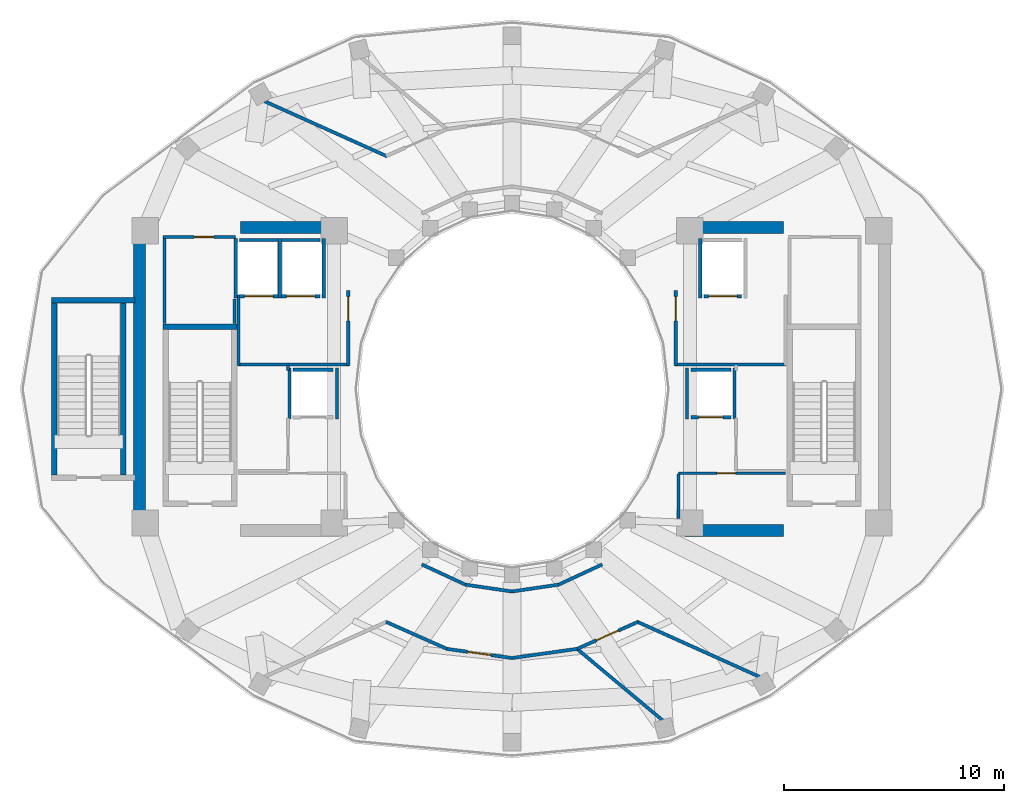
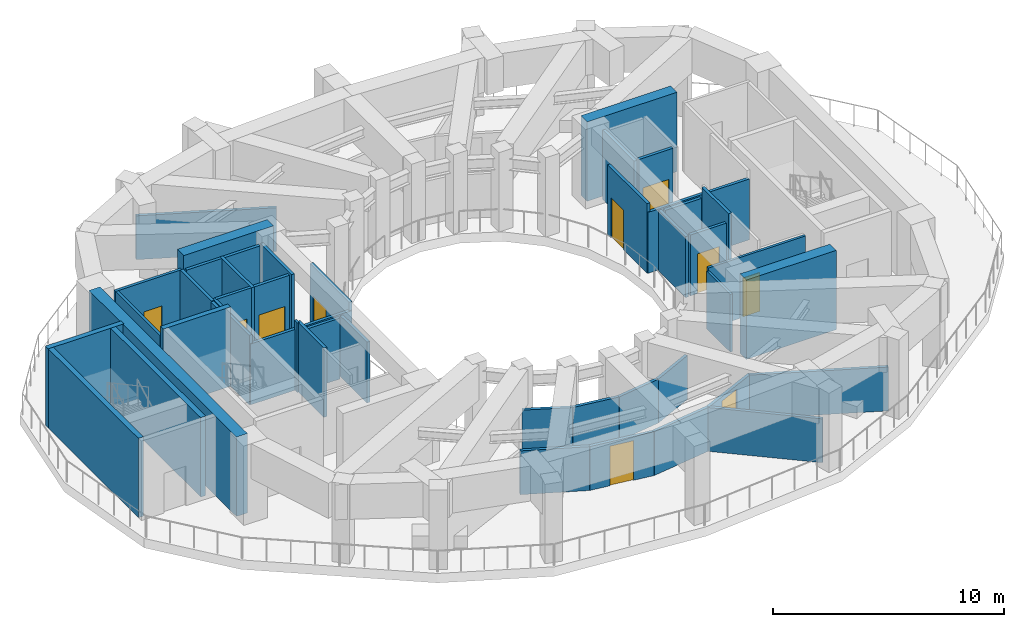
# One storey, part 3 of 9: 46 walls, 10 doors, 10 openings.
"""IFC4 building model written with IfcOpenShell, lengths in metres."""

from ifc_helpers import new_model, si_unit, direction, frame, frame_2d, origin, place, context, subcontext, project, spatial, rectangle, extrude, material, layer, layer_set, type_object, element, fill, save


model = new_model("IFC4")

# Units and contexts
model_context = context("Model", 3, precision=1e-05, world=origin(), true_north=direction((0.0, 1.0)))
body_context = subcontext(model_context, "Body", "Model", "MODEL_VIEW")
ifc_project = project(units=[si_unit("LENGTHUNIT", "METRE"), si_unit("AREAUNIT", "SQUARE_METRE"), si_unit("VOLUMEUNIT", "CUBIC_METRE"), si_unit("PLANEANGLEUNIT", "RADIAN"), si_unit("MASSUNIT", "GRAM", prefix="KILO")], contexts=[model_context])

# Site, building, storey
site_placement = place(None, origin())
site = spatial("IfcSite", under=ifc_project, at=site_placement, CompositionType="ELEMENT")
building_placement = place(site_placement, origin())
building = spatial("IfcBuilding", under=site, at=building_placement, Name="Solvane Sanctuary Tower", CompositionType="ELEMENT")
storey_placement = place(building_placement, frame((0.0, 0.0, 197.39990234375)))
storey = spatial("IfcBuildingStorey", under=building, at=storey_placement, Name="L60", CompositionType="ELEMENT", Elevation=197.39990234375)

# Walls
ifc_material_1 = material(Name="Concrete C50/60", Category="concrete")
ifc_layer_1 = layer(ifc_material_1, 0.550048828125, Name="Concrete C50/60")
ifc_layer_set_1 = layer_set([ifc_layer_1], Name="Concrete C50/60")
wall_type_1 = type_object("IfcWallType", Name="Wall W-CORE-550", PredefinedType="SHEAR", material=ifc_layer_set_1)
wall_1_placement = place(storey_placement, frame((15.050048828125, 17.050048828125, 0.0), z_axis=(0.0, 0.0, 1.0), x_axis=(0.0, 1.0, 0.0)))
element("IfcWall", 1, at=wall_1_placement, inside=storey, type_object=wall_type_1, Name="L60 Core Shear Wall WC-W", PredefinedType="SHEAR", context=body_context, shape_type="SweptSolid", body=[
    extrude(rectangle(XDim=12.800048828125, YDim=0.550048828125, at=frame_2d((6.39990234375, 0.0))), origin(), (0.0, 0.0, 1.0), 4.2001953125),
])
for number, where, z_axis, x_axis, name in (
    (2, (19.64990234375, 30.35009765625, 0.0), (0.0, 0.0, 1.0), (1.0, 0.0, 0.0), "L60 Core Shear Wall WC-N"),
    (3, (39.85009765625, 16.550048828125, 0.0), (0.0, 0.0, 1.0), (1.0, 0.0, 0.0), "L60 Core Shear Wall EC-S"),
    (4, (39.85009765625, 30.35009765625, 0.0), (0.0, 0.0, 1.0), (1.0, 0.0, 0.0), "L60 Core Shear Wall EC-N"),
):
    element("IfcWall", number, at=place(storey_placement, frame(where, z_axis=z_axis, x_axis=x_axis)), inside=storey, type_object=wall_type_1, Name=name, PredefinedType="SHEAR", context=body_context, shape_type="SweptSolid", body=[
        extrude(rectangle(XDim=4.5, YDim=0.550048828125, at=frame_2d((2.25, 0.0))), origin(), (0.0, 0.0, 1.0), 4.2001953125),
    ])
ifc_material_2 = material(Name="Acoustic Gypsum Partition Board")
ifc_layer_2 = layer(ifc_material_2, 0.14990234375, Name="Acoustic Gypsum Partition Board")
ifc_layer_set_2 = layer_set([ifc_layer_2], Name="Acoustic Gypsum Partition Board")
wall_type_2 = type_object("IfcWallType", Name="Wall W-CORR-150", PredefinedType="PARTITIONING", material=ifc_layer_set_2)
wall_2_placement = place(storey_placement, frame((19.52001953125, 24.1201171875, 0.0), z_axis=(0.0, 0.0, 1.0), x_axis=(1.0, 0.0, 0.0)))
element("IfcWall", 5, at=wall_2_placement, inside=storey, type_object=wall_type_2, Name="L60 West Firefighting Lobby South Wall", PredefinedType="PARTITIONING", context=body_context, shape_type="SweptSolid", body=[
    extrude(rectangle(XDim=5.080078125, YDim=0.14990234375, at=frame_2d((2.5400390625, 0.0))), origin(), (0.0, 0.0, 1.0), 3.22021484375),
])
wall_3_placement = place(storey_placement, frame((19.550048828125, 24.080078125, 0.0), z_axis=(0.0, 0.0, 1.0), x_axis=(0.0, 1.0, 0.0)))
element("IfcWall", 6, at=wall_3_placement, inside=storey, type_object=wall_type_2, Name="L60 West Firefighting Lobby West Wall", PredefinedType="PARTITIONING", context=body_context, shape_type="SweptSolid", body=[
    extrude(rectangle(XDim=3.199951171875, YDim=0.14990234375, at=frame_2d((1.60009765625, 0.0))), origin(), (0.0, 0.0, 1.0), 3.675048828125),
])

# Wall, opening, door
wall_4_placement = place(storey_placement, frame((24.550048828125, 24.080078125, 0.0), z_axis=(0.0, 0.0, 1.0), x_axis=(0.0, 1.0, 0.0)))
wall_4 = element("IfcWall", 7, at=wall_4_placement, inside=storey, type_object=wall_type_2, Name="L60 West Firefighting Lobby East Wall", PredefinedType="PARTITIONING", context=body_context, shape_type="SweptSolid", body=[
    extrude(rectangle(XDim=3.39990234375, YDim=0.14990234375, at=frame_2d((1.699951171875, 0.0))), origin(), (0.0, 0.0, 1.0), 3.675048828125),
])
opening_1_placement = place(wall_4_placement, frame((2.02001953125, 0.0, 0.0)))
opening_1 = element("IfcOpeningElement", 8, at=opening_1_placement, cuts=wall_4, Name="Opening D-L60-04", PredefinedType="OPENING", context=body_context, shape_type="SweptSolid", body=[
    extrude(rectangle(XDim=1.10009765625, YDim=2.10009765625, at=frame_2d((0.550048828125, 1.050048828125))), frame((0.0, 0.0849609375, 0.0), z_axis=(0.0, -1.0, 0.0), x_axis=(1.0, 0.0, 0.0)), (0.0, 0.0, 1.0), 0.169921875),
])
ifc_material_3 = material(Name="Architectural Stainless Steel 316", Category="steel")
door_type_1 = type_object("IfcDoorType", Name="Door D-FFL", OperationType="NOTDEFINED", PredefinedType="DOOR", material=ifc_material_3)
door_1_placement = place(opening_1_placement, origin())
door_1 = element("IfcDoor", 9, at=door_1_placement, inside=storey, type_object=door_type_1, Name="L60 West Firefighting Lobby Fire Door", OperationType="SINGLE_SWING_LEFT", OverallHeight=2.10009765625, OverallWidth=1.10009765625, PredefinedType="DOOR", context=body_context, shape_type="SweptSolid", body=[
    extrude(rectangle(XDim=1.10009765625, YDim=2.10009765625, at=frame_2d((0.550048828125, 1.050048828125))), frame((0.0, 0.02490234375, 0.0), z_axis=(0.0, -1.0, 0.0), x_axis=(1.0, 0.0, 0.0)), (0.0, 0.0, 1.0), 0.050048828125),
])
fill(opening_1, door_1)

# Wall
wall_5_placement = place(storey_placement, frame((39.39990234375, 24.1201171875, 0.0), z_axis=(0.0, 0.0, 1.0), x_axis=(1.0, 0.0, 0.0)))
element("IfcWall", 10, at=wall_5_placement, inside=storey, type_object=wall_type_2, Name="L60 East Firefighting Lobby South Wall", PredefinedType="PARTITIONING", context=body_context, shape_type="SweptSolid", body=[
    extrude(rectangle(XDim=5.080078125, YDim=0.14990234375, at=frame_2d((2.5400390625, 0.0))), origin(), (0.0, 0.0, 1.0), 3.22021484375),
])

# Wall, opening, door
wall_6_placement = place(storey_placement, frame((39.449951171875, 24.080078125, 0.0), z_axis=(0.0, 0.0, 1.0), x_axis=(0.0, 1.0, 0.0)))
wall_6 = element("IfcWall", 11, at=wall_6_placement, inside=storey, type_object=wall_type_2, Name="L60 East Firefighting Lobby West Wall", PredefinedType="PARTITIONING", context=body_context, shape_type="SweptSolid", body=[
    extrude(rectangle(XDim=3.39990234375, YDim=0.14990234375, at=frame_2d((1.699951171875, 0.0))), origin(), (0.0, 0.0, 1.0), 3.675048828125),
])
opening_2_placement = place(wall_6_placement, frame((2.02001953125, 0.0, 0.0)))
opening_2 = element("IfcOpeningElement", 12, at=opening_2_placement, cuts=wall_6, Name="Opening D-L60-05", PredefinedType="OPENING", context=body_context, shape_type="SweptSolid", body=[
    extrude(rectangle(XDim=1.10009765625, YDim=2.10009765625, at=frame_2d((0.550048828125, 1.050048828125))), frame((0.0, 0.0849609375, 0.0), z_axis=(0.0, -1.0, 0.0), x_axis=(1.0, 0.0, 0.0)), (0.0, 0.0, 1.0), 0.169921875),
])
door_2_placement = place(opening_2_placement, origin())
door_2 = element("IfcDoor", 13, at=door_2_placement, inside=storey, type_object=door_type_1, Name="L60 East Firefighting Lobby Fire Door", OperationType="SINGLE_SWING_RIGHT", OverallHeight=2.10009765625, OverallWidth=1.10009765625, PredefinedType="DOOR", context=body_context, shape_type="SweptSolid", body=[
    extrude(rectangle(XDim=1.10009765625, YDim=2.10009765625, at=frame_2d((0.550048828125, 1.050048828125))), frame((0.0, 0.02490234375, 0.0), z_axis=(0.0, -1.0, 0.0), x_axis=(1.0, 0.0, 0.0)), (0.0, 0.0, 1.0), 0.050048828125),
])
fill(opening_2, door_2)

# Walls
wall_7_placement = place(storey_placement, frame((27.889892578125, 15.01513671875, 0.0), z_axis=(0.0, 0.0, 1.0), x_axis=(0.906943449489, -0.421252393975, 0.0)))
element("IfcWall", 14, at=wall_7_placement, inside=storey, type_object=wall_type_2, Name="L60 Light-Well Corridor Rim Wall S1", PredefinedType="PARTITIONING", context=body_context, shape_type="SweptSolid", body=[
    extrude(rectangle(XDim=2.18603515625, YDim=0.14990234375, at=frame_2d((1.093017578125, 0.0))), origin(), (0.0, 0.0, 1.0), 2.320068359375),
])
for number, where, z_axis, x_axis, name in (
    (15, (29.87255859375, 14.09423828125, 0.0), (0.0, 0.0, 1.0), (0.989268584896, -0.146108408166, 0.0), "L60 Light-Well Corridor Rim Wall S2"),
    (16, (32.0, 13.780029296875, 0.0), (0.0, 0.0, 1.0), (0.989268584896, 0.146108408166, 0.0), "L60 Light-Well Corridor Rim Wall S3"),
):
    element("IfcWall", number, at=place(storey_placement, frame(where, z_axis=z_axis, x_axis=x_axis)), inside=storey, type_object=wall_type_2, Name=name, PredefinedType="PARTITIONING", context=body_context, shape_type="SweptSolid", body=[
        extrude(rectangle(XDim=2.150634765625, YDim=0.14990234375, at=frame_2d((1.0751953125, 0.0))), origin(), (0.0, 0.0, 1.0), 2.320068359375),
    ])
wall_8_placement = place(storey_placement, frame((34.12744140625, 14.09423828125, 0.0), z_axis=(0.0, 0.0, 1.0), x_axis=(0.906943449489, 0.421252393975, 0.0)))
element("IfcWall", 17, at=wall_8_placement, inside=storey, type_object=wall_type_2, Name="L60 Light-Well Corridor Rim Wall S4", PredefinedType="PARTITIONING", context=body_context, shape_type="SweptSolid", body=[
    extrude(rectangle(XDim=2.18603515625, YDim=0.14990234375, at=frame_2d((1.093017578125, 0.0))), origin(), (0.0, 0.0, 1.0), 2.320068359375),
])
wall_9_placement = place(storey_placement, frame((26.320556640625, 33.58837890625, 0.0), z_axis=(0.0, 0.0, 1.0), x_axis=(-0.912031098102, 0.410121050538, 0.0)))
element("IfcWall", 18, at=wall_9_placement, inside=storey, type_object=wall_type_2, Name="L60 Refuge Area Radial Screen 120", PredefinedType="PARTITIONING", context=body_context, shape_type="SweptSolid", body=[
    extrude(rectangle(XDim=6.12548828125, YDim=0.14990234375, at=frame_2d((3.062744140625, 0.0))), origin(), (0.0, 0.0, 1.0), 2.320068359375),
])
wall_10_placement = place(storey_placement, frame((34.925048828125, 11.199462890625, 0.0), z_axis=(0.0, 0.0, 1.0), x_axis=(0.767598896653, -0.640930521865, 0.0)))
element("IfcWall", 19, at=wall_10_placement, inside=storey, type_object=wall_type_2, Name="L60 Refuge Area Radial Screen 285", PredefinedType="PARTITIONING", context=body_context, shape_type="SweptSolid", body=[
    extrude(rectangle(XDim=5.115234375, YDim=0.14990234375, at=frame_2d((2.5576171875, 0.0))), origin(), (0.0, 0.0, 1.0), 2.320068359375),
])
wall_11_placement = place(storey_placement, frame((26.26806640625, 12.3955078125, 0.0), z_axis=(0.0, 0.0, 1.0), x_axis=(0.914156698007, -0.405360989106, 0.0)))
element("IfcWall", 20, at=wall_11_placement, inside=storey, type_object=wall_type_2, Name="L60 Refuge Lobby Wall 4", PredefinedType="PARTITIONING", context=body_context, shape_type="SweptSolid", body=[
    extrude(rectangle(XDim=3.03076171875, YDim=0.14990234375, at=frame_2d((1.515380859375, 0.0))), origin(), (0.0, 0.0, 1.0), 2.320068359375),
])

# Wall, opening, door
wall_12_placement = place(storey_placement, frame((29.03466796875, 11.16796875, 0.0), z_axis=(0.0, 0.0, 1.0), x_axis=(0.990224603287, -0.139482024093, 0.0)))
wall_12 = element("IfcWall", 21, at=wall_12_placement, inside=storey, type_object=wall_type_2, Name="L60 Refuge Lobby Wall 4", PredefinedType="PARTITIONING", context=body_context, shape_type="SweptSolid", body=[
    extrude(rectangle(XDim=2.99658203125, YDim=0.14990234375, at=frame_2d((1.498291015625, 0.0))), origin(), (0.0, 0.0, 1.0), 2.320068359375),
])
opening_3_placement = place(wall_12_placement, frame((0.9482421875, 0.0, 0.0)))
opening_3 = element("IfcOpeningElement", 22, at=opening_3_placement, cuts=wall_12, Name="Opening D-L60-13", PredefinedType="OPENING", context=body_context, shape_type="SweptSolid", body=[
    extrude(rectangle(XDim=1.10009765625, YDim=2.10009765625, at=frame_2d((0.550048828125, 1.050048828125))), frame((0.0, 0.0849609375, 0.0), z_axis=(0.0, -1.0, 0.0), x_axis=(1.0, 0.0, 0.0)), (0.0, 0.0, 1.0), 0.169921875),
])
door_3_placement = place(opening_3_placement, origin())
door_3 = element("IfcDoor", 23, at=door_3_placement, inside=storey, type_object=door_type_1, Name="L60 South Sanctuary Refuge Area Door", OperationType="SINGLE_SWING_RIGHT", OverallHeight=2.10009765625, OverallWidth=1.10009765625, PredefinedType="DOOR", context=body_context, shape_type="SweptSolid", body=[
    extrude(rectangle(XDim=1.10009765625, YDim=2.10009765625, at=frame_2d((0.550048828125, 1.050048828125))), frame((0.0, 0.02490234375, 0.0), z_axis=(0.0, -1.0, 0.0), x_axis=(1.0, 0.0, 0.0)), (0.0, 0.0, 1.0), 0.050048828125),
])
fill(opening_3, door_3)

# Walls
wall_13_placement = place(storey_placement, frame((31.998046875, 10.75, 0.0), z_axis=(0.0, 0.0, 1.0), x_axis=(0.990183914421, 0.139770582106, 0.0)))
element("IfcWall", 24, at=wall_13_placement, inside=storey, type_object=wall_type_2, Name="L60 Refuge Lobby Wall 4", PredefinedType="PARTITIONING", context=body_context, shape_type="SweptSolid", body=[
    extrude(rectangle(XDim=3.002685546875, YDim=0.14990234375, at=frame_2d((1.50146484375, 0.0))), origin(), (0.0, 0.0, 1.0), 2.320068359375),
])
wall_14_placement = place(storey_placement, frame((37.679443359375, 12.41162109375, 0.0), z_axis=(0.0, 0.0, 1.0), x_axis=(0.912031098102, -0.410121050538, 0.0)))
element("IfcWall", 25, at=wall_14_placement, inside=storey, type_object=wall_type_2, Name="L60 Refuge Area Radial Screen 300", PredefinedType="PARTITIONING", context=body_context, shape_type="SweptSolid", body=[
    extrude(rectangle(XDim=6.12548828125, YDim=0.14990234375, at=frame_2d((3.062744140625, 0.0))), origin(), (0.0, 0.0, 1.0), 2.320068359375),
])

# Wall, opening, door
wall_15_placement = place(storey_placement, frame((34.955810546875, 11.165283203125, 0.0), z_axis=(0.0, 0.0, 1.0), x_axis=(0.914251978061, 0.405146048496, 0.0)))
wall_15 = element("IfcWall", 26, at=wall_15_placement, inside=storey, type_object=wall_type_2, Name="L60 Refuge Lobby Wall 5", PredefinedType="PARTITIONING", context=body_context, shape_type="SweptSolid", body=[
    extrude(rectangle(XDim=3.036376953125, YDim=0.14990234375, at=frame_2d((1.51806640625, 0.0))), origin(), (0.0, 0.0, 1.0), 2.320068359375),
])
opening_4_placement = place(wall_15_placement, frame((0.96826171875, 0.0, 0.0)))
opening_4 = element("IfcOpeningElement", 27, at=opening_4_placement, cuts=wall_15, Name="Opening D-L60-14", PredefinedType="OPENING", context=body_context, shape_type="SweptSolid", body=[
    extrude(rectangle(XDim=1.10009765625, YDim=2.10009765625, at=frame_2d((0.550048828125, 1.050048828125))), frame((0.0, 0.0849609375, 0.0), z_axis=(0.0, -1.0, 0.0), x_axis=(1.0, 0.0, 0.0)), (0.0, 0.0, 1.0), 0.169921875),
])
door_4_placement = place(opening_4_placement, origin())
door_4 = element("IfcDoor", 28, at=door_4_placement, inside=storey, type_object=door_type_1, Name="L60 South-East Triage Refuge Area Door", OperationType="SINGLE_SWING_LEFT", OverallHeight=2.10009765625, OverallWidth=1.10009765625, PredefinedType="DOOR", context=body_context, shape_type="SweptSolid", body=[
    extrude(rectangle(XDim=1.10009765625, YDim=2.10009765625, at=frame_2d((0.550048828125, 1.050048828125))), frame((0.0, 0.02490234375, 0.0), z_axis=(0.0, -1.0, 0.0), x_axis=(1.0, 0.0, 0.0)), (0.0, 0.0, 1.0), 0.050048828125),
])
fill(opening_4, door_4)

ifc_layer_3 = layer(ifc_material_2, 0.125, Name="Acoustic Gypsum Partition Board")
ifc_layer_set_3 = layer_set([ifc_layer_3], Name="Acoustic Gypsum Partition Board")
wall_type_3 = type_object("IfcWallType", Name="Wall W-PART-125", PredefinedType="PARTITIONING", material=ifc_layer_set_3)
wall_16_placement = place(storey_placement, frame((39.580078125, 19.159912109375, 0.0), z_axis=(0.0, 0.0, 1.0), x_axis=(1.0, 0.0, 0.0)))
wall_16 = element("IfcWall", 29, at=wall_16_placement, inside=storey, type_object=wall_type_3, Name="L60 Reclaimed Room Partition PLE", PredefinedType="PARTITIONING", context=body_context, shape_type="SweptSolid", body=[
    extrude(rectangle(XDim=4.869873046875, YDim=0.125, at=frame_2d((2.43505859375, 0.0))), origin(), (0.0, 0.0, 1.0), 3.22021484375),
])
opening_5_placement = place(wall_16_placement, frame((1.748291015625, 0.0, 0.0)))
opening_5 = element("IfcOpeningElement", 30, at=opening_5_placement, cuts=wall_16, Name="Opening D-L60-07", PredefinedType="OPENING", context=body_context, shape_type="SweptSolid", body=[
    extrude(rectangle(XDim=0.85009765625, YDim=2.050048828125, at=frame_2d((0.425048828125, 1.02490234375))), frame((0.0, 0.072509765625, 0.0), z_axis=(0.0, -1.0, 0.0), x_axis=(1.0, 0.0, 0.0)), (0.0, 0.0, 1.0), 0.14501953125),
])
door_type_2 = type_object("IfcDoorType", Name="Door D-RISER", OperationType="NOTDEFINED", PredefinedType="DOOR", material=ifc_material_3)
door_5_placement = place(opening_5_placement, origin())
door_5 = element("IfcDoor", 31, at=door_5_placement, inside=storey, type_object=door_type_2, Name="L60 Reclaimed Room Door PLE-1", OperationType="SINGLE_SWING_RIGHT", OverallHeight=2.050048828125, OverallWidth=0.85009765625, PredefinedType="DOOR", context=body_context, shape_type="SweptSolid", body=[
    extrude(rectangle(XDim=0.85009765625, YDim=2.050048828125, at=frame_2d((0.425048828125, 1.02490234375))), frame((0.0, 0.02490234375, 0.0), z_axis=(0.0, -1.0, 0.0), x_axis=(1.0, 0.0, 0.0)), (0.0, 0.0, 1.0), 0.050048828125),
])
fill(opening_5, door_5)

# Walls
wall_17_placement = place(storey_placement, frame((39.580078125, 17.10009765625, 0.0), z_axis=(0.0, 0.0, 1.0), x_axis=(0.0, 1.0, 0.0)))
element("IfcWall", 32, at=wall_17_placement, inside=storey, type_object=wall_type_3, Name="L60 Reclaimed Room Closer Wall PLE-1", PredefinedType="PARTITIONING", context=body_context, shape_type="SweptSolid", body=[
    extrude(rectangle(XDim=2.039794921875, YDim=0.125, at=frame_2d((1.02001953125, 0.0))), origin(), (0.0, 0.0, 1.0), 3.052001953125),
])
wall_18_placement = place(storey_placement, frame((21.800048828125, 23.85009765625, 0.0), z_axis=(0.0, 0.0, 1.0), x_axis=(0.0, 1.0, 0.0)))
element("IfcWall", 33, at=wall_18_placement, inside=storey, type_object=wall_type_3, Name="L60 Reclaimed Room Dividing Wall PMW", PredefinedType="PARTITIONING", context=body_context, shape_type="SweptSolid", body=[
    extrude(rectangle(XDim=0.25, YDim=0.125, at=frame_2d((0.125, 0.0))), origin(), (0.0, 0.0, 1.0), 3.675048828125),
])
ifc_layer_4 = layer(ifc_material_1, 0.14990234375, Name="Concrete C50/60")
ifc_layer_set_4 = layer_set([ifc_layer_4], Name="Concrete C50/60")
wall_type_4 = type_object("IfcWallType", Name="Wall W-SHAFT-150", PredefinedType="SOLIDWALL", material=ifc_layer_set_4)
wall_19_placement = place(storey_placement, frame((22.0400390625, 23.8798828125, 0.0), z_axis=(0.0, 0.0, 1.0), x_axis=(1.0, 0.0, 0.0)))
element("IfcWall", 34, at=wall_19_placement, inside=storey, type_object=wall_type_4, Name="L60 PH-1 Lift Shaft Wall B", PredefinedType="SOLIDWALL", context=body_context, shape_type="SweptSolid", body=[
    extrude(rectangle(XDim=1.820068359375, YDim=0.14990234375, at=frame_2d((0.91015625, 0.0))), origin(), (0.0, 0.0, 1.0), 3.22021484375),
])
wall_20_placement = place(storey_placement, frame((21.8701171875, 21.639892578125, 0.0), z_axis=(0.0, 0.0, 1.0), x_axis=(0.0, 1.0, 0.0)))
element("IfcWall", 35, at=wall_20_placement, inside=storey, type_object=wall_type_4, Name="L60 PH-1 Lift Shaft Wall S1", PredefinedType="SOLIDWALL", context=body_context, shape_type="SweptSolid", body=[
    extrude(rectangle(XDim=2.320068359375, YDim=0.14990234375, at=frame_2d((1.16015625, 0.0))), origin(), (0.0, 0.0, 1.0), 3.675048828125),
])
wall_21_placement = place(storey_placement, frame((24.030029296875, 21.639892578125, 0.0), z_axis=(0.0, 0.0, 1.0), x_axis=(0.0, 1.0, 0.0)))
element("IfcWall", 36, at=wall_21_placement, inside=storey, type_object=wall_type_4, Name="L60 PH-1 Lift Shaft Wall S2", PredefinedType="SOLIDWALL", context=body_context, shape_type="SweptSolid", body=[
    extrude(rectangle(XDim=2.320068359375, YDim=0.14990234375, at=frame_2d((1.16015625, 0.0))), origin(), (0.0, 0.0, 1.0), 3.22021484375),
])

# Wall, opening, door
wall_22_placement = place(storey_placement, frame((40.139892578125, 21.719970703125, 0.0), z_axis=(0.0, 0.0, 1.0), x_axis=(1.0, 0.0, 0.0)))
wall_22 = element("IfcWall", 37, at=wall_22_placement, inside=storey, type_object=wall_type_4, Name="L60 PH-2 Lift Shaft Wall F", PredefinedType="SOLIDWALL", context=body_context, shape_type="SweptSolid", body=[
    extrude(rectangle(XDim=1.820068359375, YDim=0.14990234375, at=frame_2d((0.91015625, 0.0))), origin(), (0.0, 0.0, 1.0), 3.22021484375),
])
opening_6_placement = place(wall_22_placement, frame((0.360107421875, 0.0, 0.0)))
opening_6 = element("IfcOpeningElement", 38, at=opening_6_placement, cuts=wall_22, Name="Opening LD-L60-02", PredefinedType="OPENING", context=body_context, shape_type="SweptSolid", body=[
    extrude(rectangle(XDim=1.10009765625, YDim=2.10009765625, at=frame_2d((0.550048828125, 1.050048828125))), frame((0.0, 0.0849609375, 0.0), z_axis=(0.0, -1.0, 0.0), x_axis=(1.0, 0.0, 0.0)), (0.0, 0.0, 1.0), 0.169921875),
])
door_type_3 = type_object("IfcDoorType", Name="Door LD-PASS-1100", OperationType="NOTDEFINED", PredefinedType="DOOR", material=ifc_material_3)
door_6_placement = place(opening_6_placement, origin())
door_6 = element("IfcDoor", 39, at=door_6_placement, inside=storey, type_object=door_type_3, Name="L60 PH-2 Lift Landing Door", OperationType="DOUBLE_DOOR_SLIDING", OverallHeight=2.10009765625, OverallWidth=1.10009765625, PredefinedType="DOOR", context=body_context, shape_type="SweptSolid", body=[
    extrude(rectangle(XDim=1.10009765625, YDim=2.10009765625, at=frame_2d((0.550048828125, 1.050048828125))), frame((0.0, 0.02490234375, 0.0), z_axis=(0.0, -1.0, 0.0), x_axis=(1.0, 0.0, 0.0)), (0.0, 0.0, 1.0), 0.050048828125),
])
fill(opening_6, door_6)

# Walls
wall_23_placement = place(storey_placement, frame((40.139892578125, 23.8798828125, 0.0), z_axis=(0.0, 0.0, 1.0), x_axis=(1.0, 0.0, 0.0)))
element("IfcWall", 40, at=wall_23_placement, inside=storey, type_object=wall_type_4, Name="L60 PH-2 Lift Shaft Wall B", PredefinedType="SOLIDWALL", context=body_context, shape_type="SweptSolid", body=[
    extrude(rectangle(XDim=1.820068359375, YDim=0.14990234375, at=frame_2d((0.91015625, 0.0))), origin(), (0.0, 0.0, 1.0), 3.22021484375),
])
wall_24_placement = place(storey_placement, frame((39.969970703125, 21.639892578125, 0.0), z_axis=(0.0, 0.0, 1.0), x_axis=(0.0, 1.0, 0.0)))
element("IfcWall", 41, at=wall_24_placement, inside=storey, type_object=wall_type_4, Name="L60 PH-2 Lift Shaft Wall S1", PredefinedType="SOLIDWALL", context=body_context, shape_type="SweptSolid", body=[
    extrude(rectangle(XDim=2.320068359375, YDim=0.14990234375, at=frame_2d((1.16015625, 0.0))), origin(), (0.0, 0.0, 1.0), 3.22021484375),
])
wall_25_placement = place(storey_placement, frame((42.1298828125, 21.639892578125, 0.0), z_axis=(0.0, 0.0, 1.0), x_axis=(0.0, 1.0, 0.0)))
element("IfcWall", 42, at=wall_25_placement, inside=storey, type_object=wall_type_4, Name="L60 PH-2 Lift Shaft Wall S2", PredefinedType="SOLIDWALL", context=body_context, shape_type="SweptSolid", body=[
    extrude(rectangle(XDim=2.320068359375, YDim=0.14990234375, at=frame_2d((1.16015625, 0.0))), origin(), (0.0, 0.0, 1.0), 3.675048828125),
])

# Wall, opening, door
wall_26_placement = place(storey_placement, frame((19.590087890625, 27.219970703125, 0.0), z_axis=(0.0, 0.0, 1.0), x_axis=(1.0, 0.0, 0.0)))
wall_26 = element("IfcWall", 43, at=wall_26_placement, inside=storey, type_object=wall_type_4, Name="L60 FFL-1 Lift Shaft Wall F", PredefinedType="SOLIDWALL", context=body_context, shape_type="SweptSolid", body=[
    extrude(rectangle(XDim=1.760009765625, YDim=0.14990234375, at=frame_2d((0.8798828125, 0.0))), origin(), (0.0, 0.0, 1.0), 3.675048828125),
])
opening_7_placement = place(wall_26_placement, frame((0.22998046875, 0.0, 0.0)))
opening_7 = element("IfcOpeningElement", 44, at=opening_7_placement, cuts=wall_26, Name="Opening LD-L60-03", PredefinedType="OPENING", context=body_context, shape_type="SweptSolid", body=[
    extrude(rectangle(XDim=1.300048828125, YDim=2.10009765625, at=frame_2d((0.64990234375, 1.050048828125))), frame((0.0, 0.0849609375, 0.0), z_axis=(0.0, -1.0, 0.0), x_axis=(1.0, 0.0, 0.0)), (0.0, 0.0, 1.0), 0.169921875),
])
door_type_4 = type_object("IfcDoorType", Name="Door LD-FFL-1300", OperationType="NOTDEFINED", PredefinedType="DOOR", material=ifc_material_3)
door_7_placement = place(opening_7_placement, origin())
door_7 = element("IfcDoor", 45, at=door_7_placement, inside=storey, type_object=door_type_4, Name="L60 FFL-1 Lift Landing Door", OperationType="DOUBLE_DOOR_SLIDING", OverallHeight=2.10009765625, OverallWidth=1.300048828125, PredefinedType="DOOR", context=body_context, shape_type="SweptSolid", body=[
    extrude(rectangle(XDim=1.300048828125, YDim=2.10009765625, at=frame_2d((0.64990234375, 1.050048828125))), frame((0.0, 0.02490234375, 0.0), z_axis=(0.0, -1.0, 0.0), x_axis=(1.0, 0.0, 0.0)), (0.0, 0.0, 1.0), 0.050048828125),
])
fill(opening_7, door_7)

# Walls
wall_27_placement = place(storey_placement, frame((19.590087890625, 29.780029296875, 0.0), z_axis=(0.0, 0.0, 1.0), x_axis=(1.0, 0.0, 0.0)))
element("IfcWall", 46, at=wall_27_placement, inside=storey, type_object=wall_type_4, Name="L60 FFL-1 Lift Shaft Wall B", PredefinedType="SOLIDWALL", context=body_context, shape_type="SweptSolid", body=[
    extrude(rectangle(XDim=1.760009765625, YDim=0.14990234375, at=frame_2d((0.8798828125, 0.0))), origin(), (0.0, 0.0, 1.0), 3.675048828125),
])
for number, where, z_axis, x_axis, name in (
    (47, (19.419921875, 27.139892578125, 0.0), (0.0, 0.0, 1.0), (0.0, 1.0, 0.0), "L60 FFL-1 Lift Shaft Wall S1"),
    (48, (21.425048828125, 27.139892578125, 0.0), (0.0, 0.0, 1.0), (0.0, 1.0, 0.0), "L60 FFL-1 Lift Shaft Wall S2"),
):
    element("IfcWall", number, at=place(storey_placement, frame(where, z_axis=z_axis, x_axis=x_axis)), inside=storey, type_object=wall_type_4, Name=name, PredefinedType="SOLIDWALL", context=body_context, shape_type="SweptSolid", body=[
        extrude(rectangle(XDim=2.72021484375, YDim=0.14990234375, at=frame_2d((1.360107421875, 0.0))), origin(), (0.0, 0.0, 1.0), 3.675048828125),
    ])

# Wall, opening, door
wall_28_placement = place(storey_placement, frame((21.5, 27.219970703125, 0.0), z_axis=(0.0, 0.0, 1.0), x_axis=(1.0, 0.0, 0.0)))
wall_28 = element("IfcWall", 49, at=wall_28_placement, inside=storey, type_object=wall_type_4, Name="L60 SVL-1 Lift Shaft Wall F", PredefinedType="SOLIDWALL", context=body_context, shape_type="SweptSolid", body=[
    extrude(rectangle(XDim=1.760009765625, YDim=0.14990234375, at=frame_2d((0.8798828125, 0.0))), origin(), (0.0, 0.0, 1.0), 3.675048828125),
])
opening_8_placement = place(wall_28_placement, frame((0.22998046875, 0.0, 0.0)))
opening_8 = element("IfcOpeningElement", 50, at=opening_8_placement, cuts=wall_28, Name="Opening LD-L60-04", PredefinedType="OPENING", context=body_context, shape_type="SweptSolid", body=[
    extrude(rectangle(XDim=1.300048828125, YDim=2.10009765625, at=frame_2d((0.64990234375, 1.050048828125))), frame((0.0, 0.0849609375, 0.0), z_axis=(0.0, -1.0, 0.0), x_axis=(1.0, 0.0, 0.0)), (0.0, 0.0, 1.0), 0.169921875),
])
door_8_placement = place(opening_8_placement, origin())
door_8 = element("IfcDoor", 51, at=door_8_placement, inside=storey, type_object=door_type_4, Name="L60 SVL-1 Lift Landing Door", OperationType="DOUBLE_DOOR_SLIDING", OverallHeight=2.10009765625, OverallWidth=1.300048828125, PredefinedType="DOOR", context=body_context, shape_type="SweptSolid", body=[
    extrude(rectangle(XDim=1.300048828125, YDim=2.10009765625, at=frame_2d((0.64990234375, 1.050048828125))), frame((0.0, 0.02490234375, 0.0), z_axis=(0.0, -1.0, 0.0), x_axis=(1.0, 0.0, 0.0)), (0.0, 0.0, 1.0), 0.050048828125),
])
fill(opening_8, door_8)

# Walls
wall_29_placement = place(storey_placement, frame((21.5, 29.780029296875, 0.0), z_axis=(0.0, 0.0, 1.0), x_axis=(1.0, 0.0, 0.0)))
element("IfcWall", 52, at=wall_29_placement, inside=storey, type_object=wall_type_4, Name="L60 SVL-1 Lift Shaft Wall B", PredefinedType="SOLIDWALL", context=body_context, shape_type="SweptSolid", body=[
    extrude(rectangle(XDim=1.760009765625, YDim=0.14990234375, at=frame_2d((0.8798828125, 0.0))), origin(), (0.0, 0.0, 1.0), 3.675048828125),
])
wall_30_placement = place(storey_placement, frame((23.429931640625, 27.139892578125, 0.0), z_axis=(0.0, 0.0, 1.0), x_axis=(0.0, 1.0, 0.0)))
element("IfcWall", 53, at=wall_30_placement, inside=storey, type_object=wall_type_4, Name="L60 SVL-1 Lift Shaft Wall S2", PredefinedType="SOLIDWALL", context=body_context, shape_type="SweptSolid", body=[
    extrude(rectangle(XDim=2.72021484375, YDim=0.14990234375, at=frame_2d((1.360107421875, 0.0))), origin(), (0.0, 0.0, 1.0), 3.675048828125),
])

# Wall, opening, door
wall_31_placement = place(storey_placement, frame((40.739990234375, 27.219970703125, 0.0), z_axis=(0.0, 0.0, 1.0), x_axis=(1.0, 0.0, 0.0)))
wall_31 = element("IfcWall", 54, at=wall_31_placement, inside=storey, type_object=wall_type_4, Name="L60 FFL-2 Lift Shaft Wall F", PredefinedType="SOLIDWALL", context=body_context, shape_type="SweptSolid", body=[
    extrude(rectangle(XDim=1.719970703125, YDim=0.14990234375, at=frame_2d((0.85986328125, 0.0))), origin(), (0.0, 0.0, 1.0), 3.675048828125),
])
opening_9_placement = place(wall_31_placement, frame((0.2099609375, 0.0, 0.0)))
opening_9 = element("IfcOpeningElement", 55, at=opening_9_placement, cuts=wall_31, Name="Opening LD-L60-05", PredefinedType="OPENING", context=body_context, shape_type="SweptSolid", body=[
    extrude(rectangle(XDim=1.300048828125, YDim=2.10009765625, at=frame_2d((0.64990234375, 1.050048828125))), frame((0.0, 0.0849609375, 0.0), z_axis=(0.0, -1.0, 0.0), x_axis=(1.0, 0.0, 0.0)), (0.0, 0.0, 1.0), 0.169921875),
])
door_9_placement = place(opening_9_placement, origin())
door_9 = element("IfcDoor", 56, at=door_9_placement, inside=storey, type_object=door_type_4, Name="L60 FFL-2 Lift Landing Door", OperationType="DOUBLE_DOOR_SLIDING", OverallHeight=2.10009765625, OverallWidth=1.300048828125, PredefinedType="DOOR", context=body_context, shape_type="SweptSolid", body=[
    extrude(rectangle(XDim=1.300048828125, YDim=2.10009765625, at=frame_2d((0.64990234375, 1.050048828125))), frame((0.0, 0.02490234375, 0.0), z_axis=(0.0, -1.0, 0.0), x_axis=(1.0, 0.0, 0.0)), (0.0, 0.0, 1.0), 0.050048828125),
])
fill(opening_9, door_9)

# Walls
wall_32_placement = place(storey_placement, frame((40.570068359375, 27.139892578125, 0.0), z_axis=(0.0, 0.0, 1.0), x_axis=(0.0, 1.0, 0.0)))
element("IfcWall", 57, at=wall_32_placement, inside=storey, type_object=wall_type_4, Name="L60 FFL-2 Lift Shaft Wall S1", PredefinedType="SOLIDWALL", context=body_context, shape_type="SweptSolid", body=[
    extrude(rectangle(XDim=2.72021484375, YDim=0.14990234375, at=frame_2d((1.360107421875, 0.0))), origin(), (0.0, 0.0, 1.0), 3.675048828125),
])
ifc_layer_5 = layer(ifc_material_1, 0.25, Name="Concrete C50/60")
ifc_layer_set_5 = layer_set([ifc_layer_5], Name="Concrete C50/60")
wall_type_5 = type_object("IfcWallType", Name="Wall W-SHAFT-250", PredefinedType="SOLIDWALL", material=ifc_layer_set_5)
wall_33_placement = place(storey_placement, frame((16.10498046875, 25.830078125, 0.0), z_axis=(0.0, 0.0, 1.0), x_axis=(1.0, 0.0, 0.0)))
element("IfcWall", 58, at=wall_33_placement, inside=storey, type_object=wall_type_5, Name="L60 ST-1 Load-Bearing Shaft Wall N", PredefinedType="SOLIDWALL", context=body_context, shape_type="SweptSolid", body=[
    extrude(rectangle(XDim=3.3701171875, YDim=0.25, at=frame_2d((1.68505859375, 0.0))), origin(), (0.0, 0.0, 1.0), 4.2001953125),
])
wall_34_placement = place(storey_placement, frame((11.044921875, 27.030029296875, 0.0), z_axis=(0.0, 0.0, 1.0), x_axis=(1.0, 0.0, 0.0)))
element("IfcWall", 59, at=wall_34_placement, inside=storey, type_object=wall_type_5, Name="L60 ST-3 Load-Bearing Shaft Wall N", PredefinedType="SOLIDWALL", context=body_context, shape_type="SweptSolid", body=[
    extrude(rectangle(XDim=3.781982421875, YDim=0.25, at=frame_2d((1.89111328125, 0.0))), origin(), (0.0, 0.0, 1.0), 4.2001953125),
])
for number, where, z_axis, x_axis, name in (
    (60, (11.169921875, 19.094970703125, 0.0), (0.0, 0.0, 1.0), (0.0, 1.0, 0.0), "L60 ST-3 Load-Bearing Shaft Wall W"),
    (61, (14.2900390625, 19.094970703125, 0.0), (0.0, 0.0, 1.0), (0.0, 1.0, 0.0), "L60 ST-3 Load-Bearing Shaft Wall E"),
):
    element("IfcWall", number, at=place(storey_placement, frame(where, z_axis=z_axis, x_axis=x_axis)), inside=storey, type_object=wall_type_5, Name=name, PredefinedType="SOLIDWALL", context=body_context, shape_type="SweptSolid", body=[
        extrude(rectangle(XDim=7.81005859375, YDim=0.25, at=frame_2d((3.905029296875, 0.0))), origin(), (0.0, 0.0, 1.0), 4.2001953125),
    ])

# Wall, opening, door
ifc_layer_6 = layer(ifc_material_2, 0.139892578125, Name="Acoustic Gypsum Partition Board")
ifc_layer_set_6 = layer_set([ifc_layer_6], Name="Acoustic Gypsum Partition Board")
wall_type_6 = type_object("IfcWallType", Name="Wall W-WET-140", PredefinedType="PLUMBINGWALL", material=ifc_layer_set_6)
wall_35_placement = place(storey_placement, frame((16.1201171875, 29.919921875, 0.0), z_axis=(0.0, 0.0, 1.0), x_axis=(1.0, 0.0, 0.0)))
wall_35 = element("IfcWall", 62, at=wall_35_placement, inside=storey, type_object=wall_type_6, Name="L60 Refuge WC Front Wall", PredefinedType="PLUMBINGWALL", context=body_context, shape_type="SweptSolid", body=[
    extrude(rectangle(XDim=3.2998046875, YDim=0.139892578125, at=frame_2d((1.64990234375, 0.0))), origin(), (0.0, 0.0, 1.0), 3.675048828125),
])
opening_10_placement = place(wall_35_placement, frame((1.404296875, 0.0, 0.0)))
opening_10 = element("IfcOpeningElement", 63, at=opening_10_placement, cuts=wall_35, Name="Opening D-L60-15", PredefinedType="OPENING", context=body_context, shape_type="SweptSolid", body=[
    extrude(rectangle(XDim=0.89990234375, YDim=2.10009765625, at=frame_2d((0.449951171875, 1.050048828125))), frame((0.0, 0.079833984375, 0.0), z_axis=(0.0, -1.0, 0.0), x_axis=(1.0, 0.0, 0.0)), (0.0, 0.0, 1.0), 0.159912109375),
])
ifc_material_4 = material(Name="Engineered Tropical Hardwood", Category="wood")
door_type_5 = type_object("IfcDoorType", Name="Door D-WET-900", OperationType="NOTDEFINED", PredefinedType="DOOR", material=ifc_material_4)
door_10_placement = place(opening_10_placement, origin())
door_10 = element("IfcDoor", 64, at=door_10_placement, inside=storey, type_object=door_type_5, Name="L60 Refuge Accessible WC Door", OperationType="SINGLE_SWING_RIGHT", OverallHeight=2.10009765625, OverallWidth=0.89990234375, PredefinedType="DOOR", context=body_context, shape_type="SweptSolid", body=[
    extrude(rectangle(XDim=0.89990234375, YDim=2.10009765625, at=frame_2d((0.449951171875, 1.050048828125))), frame((0.0, 0.02490234375, 0.0), z_axis=(0.0, -1.0, 0.0), x_axis=(1.0, 0.0, 0.0)), (0.0, 0.0, 1.0), 0.050048828125),
])
fill(opening_10, door_10)

# Walls
wall_36_placement = place(storey_placement, frame((16.179931640625, 25.97998046875, 0.0), z_axis=(0.0, 0.0, 1.0), x_axis=(0.0, 1.0, 0.0)))
element("IfcWall", 65, at=wall_36_placement, inside=storey, type_object=wall_type_6, Name="L60 Refuge WC West Wall", PredefinedType="PLUMBINGWALL", context=body_context, shape_type="SweptSolid", body=[
    extrude(rectangle(XDim=3.880126953125, YDim=0.139892578125, at=frame_2d((1.93994140625, 0.0))), origin(), (0.0, 0.0, 1.0), 3.675048828125),
])
wall_37_placement = place(storey_placement, frame((19.360107421875, 25.97998046875, 0.0), z_axis=(0.0, 0.0, 1.0), x_axis=(0.0, 1.0, 0.0)))
element("IfcWall", 66, at=wall_37_placement, inside=storey, type_object=wall_type_6, Name="L60 Refuge WC East Closer", PredefinedType="PLUMBINGWALL", context=body_context, shape_type="SweptSolid", body=[
    extrude(rectangle(XDim=1.1201171875, YDim=0.139892578125, at=frame_2d((0.56005859375, 0.0))), origin(), (0.0, 0.0, 1.0), 3.675048828125),
])

save(model, "model.ifc")
